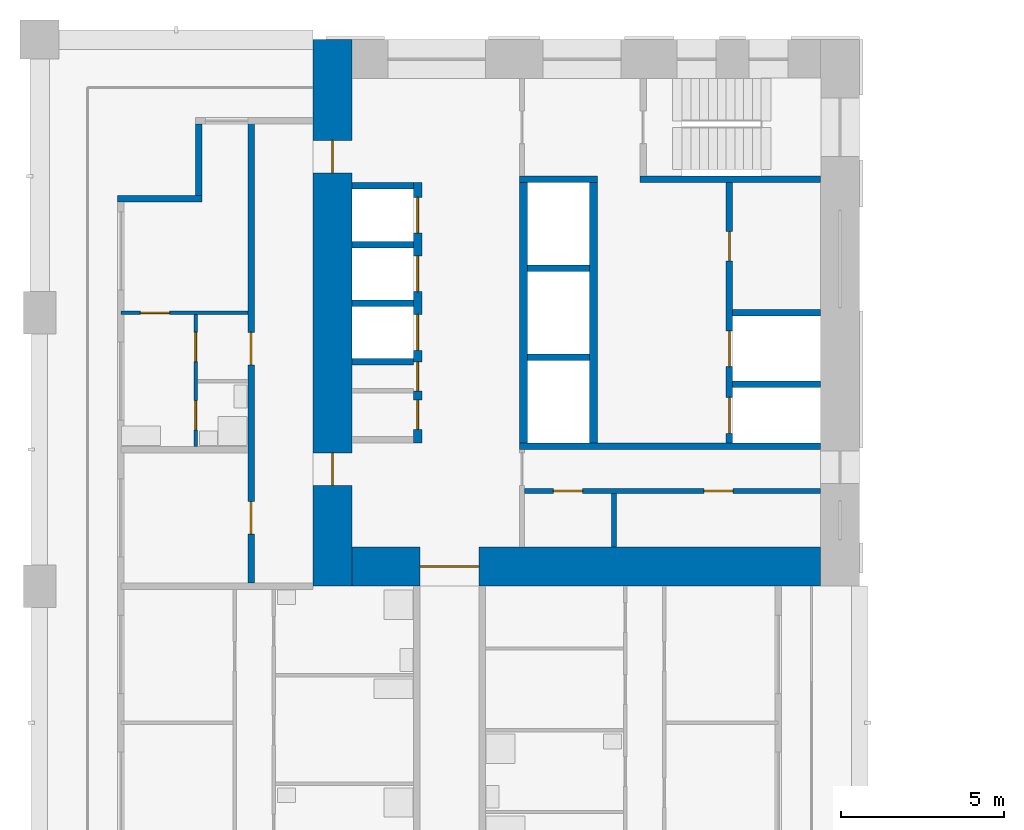
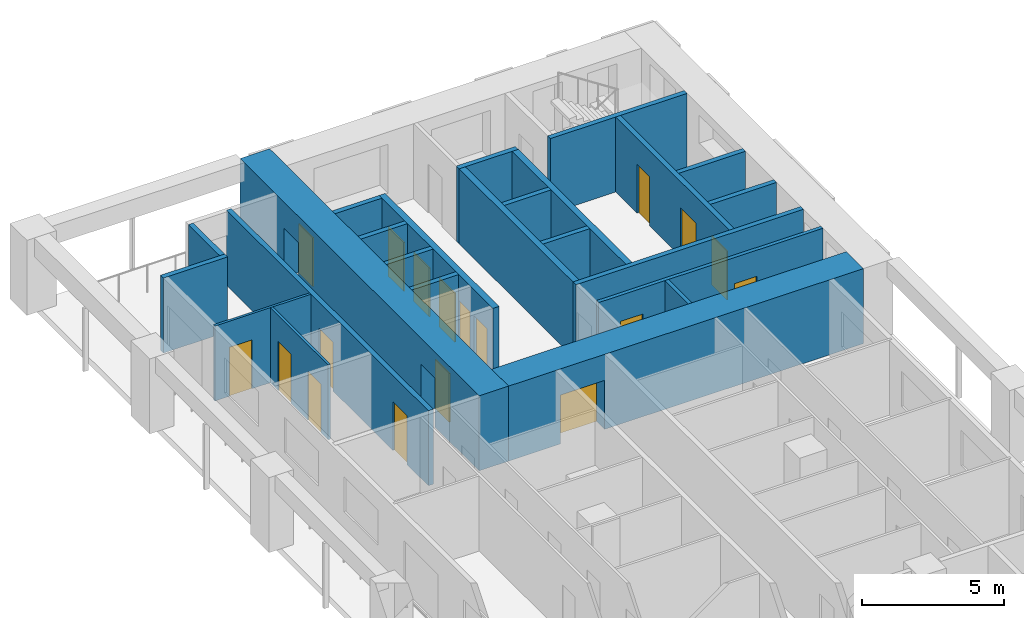
# One storey, part 7 of 16: 24 walls, 18 doors, 18 openings.
"""IFC4 building model written with IfcOpenShell, lengths in metres."""

from ifc_helpers import new_model, si_unit, direction, frame, frame_2d, origin, place, context, subcontext, project, spatial, rectangle, extrude, material, layer, layer_set, type_object, element, fill, save


model = new_model("IFC4")

# Units and contexts
model_context = context("Model", 3, precision=1e-05, world=origin(), true_north=direction((0.0, 1.0)))
body_context = subcontext(model_context, "Body", "Model", "MODEL_VIEW")
ifc_project = project(units=[si_unit("LENGTHUNIT", "METRE"), si_unit("AREAUNIT", "SQUARE_METRE"), si_unit("VOLUMEUNIT", "CUBIC_METRE"), si_unit("PLANEANGLEUNIT", "RADIAN"), si_unit("MASSUNIT", "GRAM", prefix="KILO")], contexts=[model_context])

# Site, building, storey
site_placement = place(None, origin())
site = spatial("IfcSite", under=ifc_project, at=site_placement, CompositionType="ELEMENT")
building_placement = place(site_placement, origin())
building = spatial("IfcBuilding", under=site, at=building_placement, Name="Vermilion Gate Residences", CompositionType="ELEMENT")
storey_placement = place(building_placement, frame((0.0, 0.0, 130.199951171875)))
storey = spatial("IfcBuildingStorey", under=building, at=storey_placement, Name="L33", CompositionType="ELEMENT", Elevation=130.199951171875)

# Wall
ifc_material_1 = material(Name="Masonry blockwork", Category="masonry")
ifc_layer_1 = layer(ifc_material_1, 0.14990234375)
ifc_layer_set_1 = layer_set([ifc_layer_1], Name="BLOCKWORK PARTITION 150 EI 120")
wall_type_1 = type_object("IfcWallType", Name="BLOCKWORK PARTITION 150 EI 120", PredefinedType="PARTITIONING", material=ifc_layer_set_1)
wall_1_placement = place(storey_placement, frame((17.659912109375, 44.85009765625, 0.0), z_axis=(0.0, 0.0, 1.0), x_axis=(0.0, -1.0, 0.0)))
element("IfcWall", 1, at=wall_1_placement, inside=storey, type_object=wall_type_1, Name="Core room partition B33-ES-P0", PredefinedType="PARTITIONING", context=body_context, shape_type="SweptSolid", body=[
    extrude(rectangle(XDim=1.650146484375, YDim=0.14990234375, at=frame_2d((0.8251953125, 0.0))), origin(), (0.0, 0.0, 1.0), 3.219970703125),
])

# Wall, openings, doors
wall_2_placement = place(storey_placement, frame((14.89990234375, 44.925048828125, 0.0), z_axis=(0.0, 0.0, 1.0), x_axis=(1.0, 0.0, 0.0)))
wall_2 = element("IfcWall", 2, at=wall_2_placement, inside=storey, type_object=wall_type_1, Name="Core room partition B33-ES-W", PredefinedType="PARTITIONING", context=body_context, shape_type="SweptSolid", body=[
    extrude(rectangle(XDim=9.10009765625, YDim=0.14990234375, at=frame_2d((4.550048828125, 0.0))), origin(), (0.0, 0.0, 1.0), 3.219970703125),
])
opening_1_placement = place(wall_2_placement, frame((0.892578125, 0.0, 0.0)))
opening_1 = element("IfcOpeningElement", 3, at=opening_1_placement, cuts=wall_2, Name="Opening DK33115", PredefinedType="OPENING", context=body_context, shape_type="SweptSolid", body=[
    extrude(rectangle(XDim=0.89990234375, YDim=2.10009765625, at=frame_2d((0.449951171875, 1.050048828125))), frame((0.0, 0.0849609375, 0.0), z_axis=(0.0, -1.0, 0.0), x_axis=(1.0, 0.0, 0.0)), (0.0, 0.0, 1.0), 0.169921875),
])
opening_2_placement = place(wall_2_placement, frame((5.517578125, 0.0, 0.0)))
opening_2 = element("IfcOpeningElement", 4, at=opening_2_placement, cuts=wall_2, Name="Opening DK33116", PredefinedType="OPENING", context=body_context, shape_type="SweptSolid", body=[
    extrude(rectangle(XDim=0.89990234375, YDim=2.10009765625, at=frame_2d((0.449951171875, 1.050048828125))), frame((0.0, 0.0849609375, 0.0), z_axis=(0.0, -1.0, 0.0), x_axis=(1.0, 0.0, 0.0)), (0.0, 0.0, 1.0), 0.169921875),
])
ifc_material_2 = material(Name="Steel", Category="steel")
door_type_1 = type_object("IfcDoorType", Name="SERVICE ROOM DOOR FD60 900 X 2100", OperationType="SINGLE_SWING_LEFT", PredefinedType="DOOR", material=ifc_material_2)
door_1_placement = place(opening_1_placement, frame((0.89990234375, 0.0, 0.0), z_axis=(0.0, 0.0, 1.0), x_axis=(-1.0, 0.0, 0.0)))
door_1 = element("IfcDoor", 5, at=door_1_placement, inside=storey, type_object=door_type_1, Name="Electrical room B33", OperationType="SINGLE_SWING_RIGHT", OverallHeight=2.10009765625, OverallWidth=0.89990234375, PredefinedType="DOOR", context=body_context, shape_type="SweptSolid", body=[
    extrude(rectangle(XDim=0.89990234375, YDim=2.10009765625, at=frame_2d((0.449951171875, 1.050048828125))), frame((0.0, 0.02490234375, 0.0), z_axis=(0.0, -1.0, 0.0), x_axis=(1.0, 0.0, 0.0)), (0.0, 0.0, 1.0), 0.050048828125),
])
fill(opening_1, door_1)
door_2_placement = place(opening_2_placement, frame((0.89990234375, 0.0, 0.0), z_axis=(0.0, 0.0, 1.0), x_axis=(-1.0, 0.0, 0.0)))
door_2 = element("IfcDoor", 6, at=door_2_placement, inside=storey, type_object=door_type_1, Name="Storage room B33", OperationType="SINGLE_SWING_LEFT", OverallHeight=2.10009765625, OverallWidth=0.89990234375, PredefinedType="DOOR", context=body_context, shape_type="SweptSolid", body=[
    extrude(rectangle(XDim=0.89990234375, YDim=2.10009765625, at=frame_2d((0.449951171875, 1.050048828125))), frame((0.0, 0.02490234375, 0.0), z_axis=(0.0, -1.0, 0.0), x_axis=(1.0, 0.0, 0.0)), (0.0, 0.0, 1.0), 0.050048828125),
])
fill(opening_2, door_2)

# Walls
ifc_material_3 = material(Name="Insulated steel stud wall with terracotta rainscreen", Category="masonry")
ifc_layer_2 = layer(ifc_material_3, 0.199951171875)
ifc_layer_set_2 = layer_set([ifc_layer_2], Name="EXTERNAL WALL 200 TERRACOTTA RAINSCREEN")
wall_type_2 = type_object("IfcWallType", Name="EXTERNAL WALL 200 TERRACOTTA RAINSCREEN", PredefinedType="SOLIDWALL", material=ifc_layer_set_2)
wall_3_placement = place(storey_placement, frame((4.89990234375, 56.199951171875, 0.0), z_axis=(0.0, 0.0, 1.0), x_axis=(0.0, -1.0, 0.0)))
element("IfcWall", 7, at=wall_3_placement, inside=storey, type_object=wall_type_2, Name="External wall", PredefinedType="SOLIDWALL", context=body_context, shape_type="SweptSolid", body=[
    extrude(rectangle(XDim=2.199951171875, YDim=0.199951171875, at=frame_2d((1.10009765625, 0.0))), origin(), (0.0, 0.0, 1.0), 3.219970703125),
])
wall_4_placement = place(storey_placement, frame((5.0, 53.89990234375, 0.0), z_axis=(0.0, 0.0, 1.0), x_axis=(-1.0, 0.0, 0.0)))
element("IfcWall", 8, at=wall_4_placement, inside=storey, type_object=wall_type_2, Name="External wall", PredefinedType="SOLIDWALL", context=body_context, shape_type="SweptSolid", body=[
    extrude(rectangle(XDim=2.60009765625, YDim=0.199951171875, at=frame_2d((1.300048828125, 0.0))), origin(), (0.0, 0.0, 1.0), 3.219970703125),
])

# Wall, opening, door
ifc_material_4 = material(Name="Plasterboard on steel studs", Category="steel")
ifc_layer_3 = layer(ifc_material_4, 0.10009765625)
ifc_layer_set_3 = layer_set([ifc_layer_3], Name="PARTITION 100")
wall_type_3 = type_object("IfcWallType", Name="PARTITION 100", PredefinedType="PARTITIONING", material=ifc_layer_set_3)
wall_5_placement = place(storey_placement, frame((2.5, 50.39990234375, 0.0), z_axis=(0.0, 0.0, 1.0), x_axis=(1.0, 0.0, 0.0)))
wall_5 = element("IfcWall", 9, at=wall_5_placement, inside=storey, type_object=wall_type_3, Name="Partition", PredefinedType="PARTITIONING", context=body_context, shape_type="SweptSolid", body=[
    extrude(rectangle(XDim=3.89990234375, YDim=0.10009765625, at=frame_2d((1.949951171875, 0.0))), origin(), (0.0, 0.0, 1.0), 3.219970703125),
])
opening_3_placement = place(wall_5_placement, frame((0.60009765625, 0.0, 0.0)))
opening_3 = element("IfcOpeningElement", 10, at=opening_3_placement, cuts=wall_5, Name="Opening DA32017", PredefinedType="OPENING", context=body_context, shape_type="SweptSolid", body=[
    extrude(rectangle(XDim=0.89990234375, YDim=2.10009765625, at=frame_2d((0.449951171875, 1.050048828125))), frame((0.0, 0.06005859375, 0.0), z_axis=(0.0, -1.0, 0.0), x_axis=(1.0, 0.0, 0.0)), (0.0, 0.0, 1.0), 0.1201171875),
])
ifc_material_5 = material(Name="Timber", Category="wood")
door_type_2 = type_object("IfcDoorType", Name="INTERIOR DOOR 900 X 2100", OperationType="SINGLE_SWING_LEFT", PredefinedType="DOOR", material=ifc_material_5)
door_3_placement = place(opening_3_placement, frame((0.89990234375, 0.0, 0.0), z_axis=(0.0, 0.0, 1.0), x_axis=(-1.0, 0.0, 0.0)))
door_3 = element("IfcDoor", 11, at=door_3_placement, inside=storey, type_object=door_type_2, Name="Interior door", OperationType="SINGLE_SWING_RIGHT", OverallHeight=2.10009765625, OverallWidth=0.89990234375, PredefinedType="DOOR", context=body_context, shape_type="SweptSolid", body=[
    extrude(rectangle(XDim=0.89990234375, YDim=2.10009765625, at=frame_2d((0.449951171875, 1.050048828125))), frame((0.0, 0.02490234375, 0.0), z_axis=(0.0, -1.0, 0.0), x_axis=(1.0, 0.0, 0.0)), (0.0, 0.0, 1.0), 0.050048828125),
])
fill(opening_3, door_3)

# Wall, openings, doors
wall_6_placement = place(storey_placement, frame((4.800048828125, 46.300048828125, 0.0), z_axis=(0.0, 0.0, 1.0), x_axis=(0.0, 1.0, 0.0)))
wall_6 = element("IfcWall", 12, at=wall_6_placement, inside=storey, type_object=wall_type_3, Name="Partition", PredefinedType="PARTITIONING", context=body_context, shape_type="SweptSolid", body=[
    extrude(rectangle(XDim=4.050048828125, YDim=0.10009765625, at=frame_2d((2.02490234375, 0.0))), origin(), (0.0, 0.0, 1.0), 3.219970703125),
])
opening_4_placement = place(wall_6_placement, frame((2.60009765625, 0.0, 0.0)))
opening_4 = element("IfcOpeningElement", 13, at=opening_4_placement, cuts=wall_6, Name="Opening DA32018", PredefinedType="OPENING", context=body_context, shape_type="SweptSolid", body=[
    extrude(rectangle(XDim=0.89990234375, YDim=2.10009765625, at=frame_2d((0.449951171875, 1.050048828125))), frame((0.0, 0.06005859375, 0.0), z_axis=(0.0, -1.0, 0.0), x_axis=(1.0, 0.0, 0.0)), (0.0, 0.0, 1.0), 0.1201171875),
])
opening_5_placement = place(wall_6_placement, frame((0.5, 0.0, 0.0)))
opening_5 = element("IfcOpeningElement", 14, at=opening_5_placement, cuts=wall_6, Name="Opening DA32019", PredefinedType="OPENING", context=body_context, shape_type="SweptSolid", body=[
    extrude(rectangle(XDim=0.89990234375, YDim=2.10009765625, at=frame_2d((0.449951171875, 1.050048828125))), frame((0.0, 0.06005859375, 0.0), z_axis=(0.0, -1.0, 0.0), x_axis=(1.0, 0.0, 0.0)), (0.0, 0.0, 1.0), 0.1201171875),
])
door_4_placement = place(opening_4_placement, origin())
door_4 = element("IfcDoor", 15, at=door_4_placement, inside=storey, type_object=door_type_2, Name="Interior door", OperationType="SINGLE_SWING_RIGHT", OverallHeight=2.10009765625, OverallWidth=0.89990234375, PredefinedType="DOOR", context=body_context, shape_type="SweptSolid", body=[
    extrude(rectangle(XDim=0.89990234375, YDim=2.10009765625, at=frame_2d((0.449951171875, 1.050048828125))), frame((0.0, 0.02490234375, 0.0), z_axis=(0.0, -1.0, 0.0), x_axis=(1.0, 0.0, 0.0)), (0.0, 0.0, 1.0), 0.050048828125),
])
fill(opening_4, door_4)
door_5_placement = place(opening_5_placement, frame((0.89990234375, 0.0, 0.0), z_axis=(0.0, 0.0, 1.0), x_axis=(-1.0, 0.0, 0.0)))
door_5 = element("IfcDoor", 16, at=door_5_placement, inside=storey, type_object=door_type_2, Name="Interior door", OperationType="SINGLE_SWING_RIGHT", OverallHeight=2.10009765625, OverallWidth=0.89990234375, PredefinedType="DOOR", context=body_context, shape_type="SweptSolid", body=[
    extrude(rectangle(XDim=0.89990234375, YDim=2.10009765625, at=frame_2d((0.449951171875, 1.050048828125))), frame((0.0, 0.02490234375, 0.0), z_axis=(0.0, -1.0, 0.0), x_axis=(1.0, 0.0, 0.0)), (0.0, 0.0, 1.0), 0.050048828125),
])
fill(opening_5, door_5)

ifc_material_6 = material(Name="Fire-rated plasterboard on steel studs", Category="steel")
ifc_layer_4 = layer(ifc_material_6, 0.199951171875)
ifc_layer_set_4 = layer_set([ifc_layer_4], Name="PARTY WALL 200 EI 120")
wall_type_4 = type_object("IfcWallType", Name="PARTY WALL 200 EI 120", PredefinedType="PARTITIONING", material=ifc_layer_set_4)
wall_7_placement = place(storey_placement, frame((6.5, 42.10009765625, 0.0), z_axis=(0.0, 0.0, 1.0), x_axis=(0.0, 1.0, 0.0)))
wall_7 = element("IfcWall", 17, at=wall_7_placement, inside=storey, type_object=wall_type_4, Name="Party and corridor wall", PredefinedType="PARTITIONING", context=body_context, shape_type="SweptSolid", body=[
    extrude(rectangle(XDim=14.199951171875, YDim=0.199951171875, at=frame_2d((7.10009765625, 0.0))), origin(), (0.0, 0.0, 1.0), 3.219970703125),
])
opening_6_placement = place(wall_7_placement, frame((1.5, 0.0, 0.0)))
opening_6 = element("IfcOpeningElement", 18, at=opening_6_placement, cuts=wall_7, Name="Opening DA32024", PredefinedType="OPENING", context=body_context, shape_type="SweptSolid", body=[
    extrude(rectangle(XDim=1.0, YDim=2.10009765625, at=frame_2d((0.5, 1.050048828125))), frame((0.0, 0.10986328125, 0.0), z_axis=(0.0, -1.0, 0.0), x_axis=(1.0, 0.0, 0.0)), (0.0, 0.0, 1.0), 0.219970703125),
])
opening_7_placement = place(wall_7_placement, frame((6.699951171875, 0.0, 0.0)))
opening_7 = element("IfcOpeningElement", 19, at=opening_7_placement, cuts=wall_7, Name="Opening DA32025", PredefinedType="OPENING", context=body_context, shape_type="SweptSolid", body=[
    extrude(rectangle(XDim=1.0, YDim=2.10009765625, at=frame_2d((0.5, 1.050048828125))), frame((0.0, 0.10986328125, 0.0), z_axis=(0.0, -1.0, 0.0), x_axis=(1.0, 0.0, 0.0)), (0.0, 0.0, 1.0), 0.219970703125),
])
ifc_material_7 = material(Name="Steel", Category="steel")
door_type_3 = type_object("IfcDoorType", Name="ENTRANCE DOOR 1000 X 2100 FD30", OperationType="SINGLE_SWING_LEFT", PredefinedType="DOOR", material=ifc_material_7)
door_6_placement = place(opening_6_placement, origin())
door_6 = element("IfcDoor", 20, at=door_6_placement, inside=storey, type_object=door_type_3, Name="Entrance door", OperationType="SINGLE_SWING_LEFT", OverallHeight=2.10009765625, OverallWidth=1.0, PredefinedType="DOOR", context=body_context, shape_type="SweptSolid", body=[
    extrude(rectangle(XDim=1.0, YDim=2.10009765625, at=frame_2d((0.5, 1.050048828125))), frame((0.0, 0.02490234375, 0.0), z_axis=(0.0, -1.0, 0.0), x_axis=(1.0, 0.0, 0.0)), (0.0, 0.0, 1.0), 0.050048828125),
])
fill(opening_6, door_6)
door_7_placement = place(opening_7_placement, origin())
door_7 = element("IfcDoor", 21, at=door_7_placement, inside=storey, type_object=door_type_3, Name="Entrance door", OperationType="SINGLE_SWING_LEFT", OverallHeight=2.10009765625, OverallWidth=1.0, PredefinedType="DOOR", context=body_context, shape_type="SweptSolid", body=[
    extrude(rectangle(XDim=1.0, YDim=2.10009765625, at=frame_2d((0.5, 1.050048828125))), frame((0.0, 0.02490234375, 0.0), z_axis=(0.0, -1.0, 0.0), x_axis=(1.0, 0.0, 0.0)), (0.0, 0.0, 1.0), 0.050048828125),
])
fill(opening_7, door_7)

# Walls
ifc_material_8 = material(Name="Concrete C60", Category="concrete")
ifc_layer_5 = layer(ifc_material_8, 0.199951171875)
ifc_layer_set_5 = layer_set([ifc_layer_5], Name="RC CORE INTERNAL WALL 200 C60")
wall_type_5 = type_object("IfcWallType", Name="RC CORE INTERNAL WALL 200 C60", PredefinedType="SHEAR", material=ifc_layer_set_5)
for number, where, z_axis, x_axis, name in (
    (22, (9.60009765625, 54.300048828125, 0.0), (0.0, 0.0, 1.0), (1.0, 0.0, 0.0), "Core internal wall B33-LR-D0"),
    (23, (9.60009765625, 52.5, 0.0), (0.0, 0.0, 1.0), (1.0, 0.0, 0.0), "Core internal wall B33-LR-D1"),
    (24, (9.60009765625, 50.699951171875, 0.0), (0.0, 0.0, 1.0), (1.0, 0.0, 0.0), "Core internal wall B33-LR-D2"),
    (25, (9.60009765625, 48.89990234375, 0.0), (0.0, 0.0, 1.0), (1.0, 0.0, 0.0), "Core internal wall B33-LR-D3"),
    (26, (15.0, 51.7666015625, 0.0), (0.0, 0.0, 1.0), (1.0, 0.0, 0.0), "Core internal wall B33-HR-D1"),
    (27, (15.0, 49.033447265625, 0.0), (0.0, 0.0, 1.0), (1.0, 0.0, 0.0), "Core internal wall B33-HR-D2"),
):
    element("IfcWall", number, at=place(storey_placement, frame(where, z_axis=z_axis, x_axis=x_axis)), inside=storey, type_object=wall_type_5, Name=name, PredefinedType="SHEAR", context=body_context, shape_type="SweptSolid", body=[
        extrude(rectangle(XDim=1.89990234375, YDim=0.199951171875, at=frame_2d((0.949951171875, 0.0))), origin(), (0.0, 0.0, 1.0), 3.219970703125),
    ])
for number, where, z_axis, x_axis, name in (
    (28, (21.300048828125, 50.39990234375, 0.0), (0.0, 0.0, 1.0), (1.0, 0.0, 0.0), "Core internal wall B33-FF-D0"),
    (29, (21.300048828125, 48.199951171875, 0.0), (0.0, 0.0, 1.0), (1.0, 0.0, 0.0), "Core internal wall B33-FF-D1"),
):
    element("IfcWall", number, at=place(storey_placement, frame(where, z_axis=z_axis, x_axis=x_axis)), inside=storey, type_object=wall_type_5, Name=name, PredefinedType="SHEAR", context=body_context, shape_type="SweptSolid", body=[
        extrude(rectangle(XDim=2.699951171875, YDim=0.199951171875, at=frame_2d((1.35009765625, 0.0))), origin(), (0.0, 0.0, 1.0), 3.219970703125),
    ])

# Wall, openings, doors
wall_8_placement = place(storey_placement, frame((21.199951171875, 54.39990234375, 0.0), z_axis=(0.0, 0.0, 1.0), x_axis=(0.0, -1.0, 0.0)))
wall_8 = element("IfcWall", 30, at=wall_8_placement, inside=storey, type_object=wall_type_5, Name="Core internal wall B33-FF-F", PredefinedType="SHEAR", context=body_context, shape_type="SweptSolid", body=[
    extrude(rectangle(XDim=8.0, YDim=0.199951171875, at=frame_2d((4.0, 0.0))), origin(), (0.0, 0.0, 1.0), 3.219970703125),
])
opening_8_placement = place(wall_8_placement, frame((1.5, 0.0, 0.0)))
opening_8 = element("IfcOpeningElement", 31, at=opening_8_placement, cuts=wall_8, Name="Opening DK33109", PredefinedType="OPENING", context=body_context, shape_type="SweptSolid", body=[
    extrude(rectangle(XDim=0.89990234375, YDim=2.10009765625, at=frame_2d((0.449951171875, 1.050048828125))), frame((0.0, 0.10986328125, 0.0), z_axis=(0.0, -1.0, 0.0), x_axis=(1.0, 0.0, 0.0)), (0.0, 0.0, 1.0), 0.219970703125),
])
opening_9_placement = place(wall_8_placement, frame((4.550048828125, 0.0, 0.0)))
opening_9 = element("IfcOpeningElement", 32, at=opening_9_placement, cuts=wall_8, Name="Opening LD", PredefinedType="OPENING", context=body_context, shape_type="SweptSolid", body=[
    extrude(rectangle(XDim=1.10009765625, YDim=2.10009765625, at=frame_2d((0.550048828125, 1.050048828125))), frame((0.0, 0.10986328125, 0.0), z_axis=(0.0, -1.0, 0.0), x_axis=(1.0, 0.0, 0.0)), (0.0, 0.0, 1.0), 0.219970703125),
])
opening_10_placement = place(wall_8_placement, frame((6.60009765625, 0.0, 0.0)))
opening_10 = element("IfcOpeningElement", 33, at=opening_10_placement, cuts=wall_8, Name="Opening LD", PredefinedType="OPENING", context=body_context, shape_type="SweptSolid", body=[
    extrude(rectangle(XDim=1.10009765625, YDim=2.10009765625, at=frame_2d((0.550048828125, 1.050048828125))), frame((0.0, 0.10986328125, 0.0), z_axis=(0.0, -1.0, 0.0), x_axis=(1.0, 0.0, 0.0)), (0.0, 0.0, 1.0), 0.219970703125),
])
ifc_material_9 = material(Name="Stainless steel", Category="steel")
door_type_4 = type_object("IfcDoorType", Name="LIFT LANDING DOOR E60 1100 X 2100", OperationType="DOUBLE_DOOR_SLIDING", PredefinedType="DOOR", material=ifc_material_9)
door_8_placement = place(opening_9_placement, origin())
door_8 = element("IfcDoor", 34, at=door_8_placement, inside=storey, type_object=door_type_4, Name="Lift landing door LFB1", OperationType="DOUBLE_DOOR_SLIDING", OverallHeight=2.10009765625, OverallWidth=1.10009765625, PredefinedType="DOOR", context=body_context, shape_type="SweptSolid", body=[
    extrude(rectangle(XDim=1.10009765625, YDim=2.10009765625, at=frame_2d((0.550048828125, 1.050048828125))), frame((0.0, 0.02490234375, 0.0), z_axis=(0.0, -1.0, 0.0), x_axis=(1.0, 0.0, 0.0)), (0.0, 0.0, 1.0), 0.050048828125),
])
fill(opening_9, door_8)
door_9_placement = place(opening_10_placement, origin())
door_9 = element("IfcDoor", 35, at=door_9_placement, inside=storey, type_object=door_type_4, Name="Lift landing door LCB1", OperationType="DOUBLE_DOOR_SLIDING", OverallHeight=2.10009765625, OverallWidth=1.10009765625, PredefinedType="DOOR", context=body_context, shape_type="SweptSolid", body=[
    extrude(rectangle(XDim=1.10009765625, YDim=2.10009765625, at=frame_2d((0.550048828125, 1.050048828125))), frame((0.0, 0.02490234375, 0.0), z_axis=(0.0, -1.0, 0.0), x_axis=(1.0, 0.0, 0.0)), (0.0, 0.0, 1.0), 0.050048828125),
])
fill(opening_10, door_9)
door_10_placement = place(opening_8_placement, origin())
door_10 = element("IfcDoor", 36, at=door_10_placement, inside=storey, type_object=door_type_1, Name="Parcel room B33", OperationType="SINGLE_SWING_LEFT", OverallHeight=2.10009765625, OverallWidth=0.89990234375, PredefinedType="DOOR", context=body_context, shape_type="SweptSolid", body=[
    extrude(rectangle(XDim=0.89990234375, YDim=2.10009765625, at=frame_2d((0.449951171875, 1.050048828125))), frame((0.0, 0.02490234375, 0.0), z_axis=(0.0, -1.0, 0.0), x_axis=(1.0, 0.0, 0.0)), (0.0, 0.0, 1.0), 0.050048828125),
])
fill(opening_8, door_10)

# Walls
wall_9_placement = place(storey_placement, frame((14.75, 54.5, 0.0), z_axis=(0.0, 0.0, 1.0), x_axis=(1.0, 0.0, 0.0)))
element("IfcWall", 37, at=wall_9_placement, inside=storey, type_object=wall_type_5, Name="Core internal wall B33-WDIV1", PredefinedType="SHEAR", context=body_context, shape_type="SweptSolid", body=[
    extrude(rectangle(XDim=2.39990234375, YDim=0.199951171875, at=frame_2d((1.199951171875, 0.0))), origin(), (0.0, 0.0, 1.0), 3.219970703125),
])
wall_10_placement = place(storey_placement, frame((18.449951171875, 54.5, 0.0), z_axis=(0.0, 0.0, 1.0), x_axis=(1.0, 0.0, 0.0)))
element("IfcWall", 38, at=wall_10_placement, inside=storey, type_object=wall_type_5, Name="Core internal wall B33-WDIV2", PredefinedType="SHEAR", context=body_context, shape_type="SweptSolid", body=[
    extrude(rectangle(XDim=5.550048828125, YDim=0.199951171875, at=frame_2d((2.77490234375, 0.0))), origin(), (0.0, 0.0, 1.0), 3.219970703125),
])
wall_11_placement = place(storey_placement, frame((14.75, 46.300048828125, 0.0), z_axis=(0.0, 0.0, 1.0), x_axis=(1.0, 0.0, 0.0)))
element("IfcWall", 39, at=wall_11_placement, inside=storey, type_object=wall_type_5, Name="Core internal wall B33-EDIV", PredefinedType="SHEAR", context=body_context, shape_type="SweptSolid", body=[
    extrude(rectangle(XDim=9.25, YDim=0.199951171875, at=frame_2d((4.625, 0.0))), origin(), (0.0, 0.0, 1.0), 3.219970703125),
])

# Wall, openings, doors
ifc_material_10 = material(Name="Concrete C70", Category="concrete")
ifc_layer_6 = layer(ifc_material_10, 1.199951171875)
ifc_layer_set_6 = layer_set([ifc_layer_6], Name="RC CORE WALL 1200 C70")
wall_type_6 = type_object("IfcWallType", Name="RC CORE WALL 1200 C70", PredefinedType="SHEAR", material=ifc_layer_set_6)
wall_12_placement = place(storey_placement, frame((9.0, 58.800048828125, 0.0), z_axis=(0.0, 0.0, 1.0), x_axis=(0.0, -1.0, 0.0)))
wall_12 = element("IfcWall", 40, at=wall_12_placement, inside=storey, type_object=wall_type_6, Name="Core wall B33-OUT-B0", PredefinedType="SHEAR", context=body_context, shape_type="SweptSolid", body=[
    extrude(rectangle(XDim=16.800048828125, YDim=1.199951171875, at=frame_2d((8.39990234375, 0.0))), origin(), (0.0, 0.0, 1.0), 3.219970703125),
])
opening_11_placement = place(wall_12_placement, frame((3.10009765625, 0.0, 0.0)))
opening_11 = element("IfcOpeningElement", 41, at=opening_11_placement, cuts=wall_12, Name="Opening DK33101", PredefinedType="OPENING", context=body_context, shape_type="SweptSolid", body=[
    extrude(rectangle(XDim=1.0, YDim=2.10009765625, at=frame_2d((0.5, 1.050048828125))), frame((0.0, 0.60986328125, 0.0), z_axis=(0.0, -1.0, 0.0), x_axis=(1.0, 0.0, 0.0)), (0.0, 0.0, 1.0), 1.219970703125),
])
opening_12_placement = place(wall_12_placement, frame((12.699951171875, 0.0, 0.0)))
opening_12 = element("IfcOpeningElement", 42, at=opening_12_placement, cuts=wall_12, Name="Opening DK33102", PredefinedType="OPENING", context=body_context, shape_type="SweptSolid", body=[
    extrude(rectangle(XDim=1.0, YDim=2.10009765625, at=frame_2d((0.5, 1.050048828125))), frame((0.0, 0.60986328125, 0.0), z_axis=(0.0, -1.0, 0.0), x_axis=(1.0, 0.0, 0.0)), (0.0, 0.0, 1.0), 1.219970703125),
])
ifc_material_11 = material(Name="Steel", Category="steel")
door_type_5 = type_object("IfcDoorType", Name="FIRE DOOR FD60 1000 X 2100", OperationType="SINGLE_SWING_LEFT", PredefinedType="DOOR", material=ifc_material_11)
door_11_placement = place(opening_11_placement, origin())
door_11 = element("IfcDoor", 43, at=door_11_placement, inside=storey, type_object=door_type_5, Name="Core lobby side door B33", OperationType="SINGLE_SWING_RIGHT", OverallHeight=2.10009765625, OverallWidth=1.0, PredefinedType="DOOR", context=body_context, shape_type="SweptSolid", body=[
    extrude(rectangle(XDim=1.0, YDim=2.10009765625, at=frame_2d((0.5, 1.050048828125))), frame((0.0, 0.02490234375, 0.0), z_axis=(0.0, -1.0, 0.0), x_axis=(1.0, 0.0, 0.0)), (0.0, 0.0, 1.0), 0.050048828125),
])
fill(opening_11, door_11)
door_12_placement = place(opening_12_placement, origin())
door_12 = element("IfcDoor", 44, at=door_12_placement, inside=storey, type_object=door_type_5, Name="Core lobby side door B33", OperationType="SINGLE_SWING_LEFT", OverallHeight=2.10009765625, OverallWidth=1.0, PredefinedType="DOOR", context=body_context, shape_type="SweptSolid", body=[
    extrude(rectangle(XDim=1.0, YDim=2.10009765625, at=frame_2d((0.5, 1.050048828125))), frame((0.0, 0.02490234375, 0.0), z_axis=(0.0, -1.0, 0.0), x_axis=(1.0, 0.0, 0.0)), (0.0, 0.0, 1.0), 0.050048828125),
])
fill(opening_12, door_12)

# Wall, opening, door
wall_13_placement = place(storey_placement, frame((9.60009765625, 42.60009765625, 0.0), z_axis=(0.0, 0.0, 1.0), x_axis=(1.0, 0.0, 0.0)))
wall_13 = element("IfcWall", 45, at=wall_13_placement, inside=storey, type_object=wall_type_6, Name="Core wall B33-OUT-BK", PredefinedType="SHEAR", context=body_context, shape_type="SweptSolid", body=[
    extrude(rectangle(XDim=14.39990234375, YDim=1.199951171875, at=frame_2d((7.199951171875, 0.0))), origin(), (0.0, 0.0, 1.0), 3.219970703125),
])
opening_13_placement = place(wall_13_placement, frame((2.10009765625, 0.0, 0.0)))
opening_13 = element("IfcOpeningElement", 46, at=opening_13_placement, cuts=wall_13, Name="Opening DK33103", PredefinedType="OPENING", context=body_context, shape_type="SweptSolid", body=[
    extrude(rectangle(XDim=1.800048828125, YDim=2.10009765625, at=frame_2d((0.89990234375, 1.050048828125))), frame((0.0, 0.60986328125, 0.0), z_axis=(0.0, -1.0, 0.0), x_axis=(1.0, 0.0, 0.0)), (0.0, 0.0, 1.0), 1.219970703125),
])
ifc_material_12 = material(Name="Steel", Category="steel")
door_type_6 = type_object("IfcDoorType", Name="CORE LOBBY DOOR FD60 1800 X 2100", OperationType="DOUBLE_DOOR_SINGLE_SWING", PredefinedType="DOOR", material=ifc_material_12)
door_13_placement = place(opening_13_placement, origin())
door_13 = element("IfcDoor", 47, at=door_13_placement, inside=storey, type_object=door_type_6, Name="Core lobby door B33", OperationType="DOUBLE_DOOR_SINGLE_SWING", OverallHeight=2.10009765625, OverallWidth=1.800048828125, PredefinedType="DOOR", context=body_context, shape_type="SweptSolid", body=[
    extrude(rectangle(XDim=1.800048828125, YDim=2.10009765625, at=frame_2d((0.89990234375, 1.050048828125))), frame((0.0, 0.02490234375, 0.0), z_axis=(0.0, -1.0, 0.0), x_axis=(1.0, 0.0, 0.0)), (0.0, 0.0, 1.0), 0.050048828125),
])
fill(opening_13, door_13)

# Wall, openings, doors
ifc_material_13 = material(Name="Concrete C60", Category="concrete")
ifc_layer_7 = layer(ifc_material_13, 0.25)
ifc_layer_set_7 = layer_set([ifc_layer_7], Name="RC LIFT SHAFT WALL 250 C60")
wall_type_7 = type_object("IfcWallType", Name="RC LIFT SHAFT WALL 250 C60", PredefinedType="SHEAR", material=ifc_layer_set_7)
wall_14_placement = place(storey_placement, frame((11.625, 54.39990234375, 0.0), z_axis=(0.0, 0.0, 1.0), x_axis=(0.0, -1.0, 0.0)))
wall_14 = element("IfcWall", 48, at=wall_14_placement, inside=storey, type_object=wall_type_7, Name="Lift shaft wall B33-LR-F", PredefinedType="SHEAR", context=body_context, shape_type="SweptSolid", body=[
    extrude(rectangle(XDim=8.0, YDim=0.25, at=frame_2d((4.0, 0.0))), origin(), (0.0, 0.0, 1.0), 3.219970703125),
])
opening_14_placement = place(wall_14_placement, frame((0.449951171875, 0.0, 0.0)))
opening_14 = element("IfcOpeningElement", 49, at=opening_14_placement, cuts=wall_14, Name="Opening LD", PredefinedType="OPENING", context=body_context, shape_type="SweptSolid", body=[
    extrude(rectangle(XDim=1.10009765625, YDim=2.10009765625, at=frame_2d((0.550048828125, 1.050048828125))), frame((0.0, 0.135009765625, 0.0), z_axis=(0.0, -1.0, 0.0), x_axis=(1.0, 0.0, 0.0)), (0.0, 0.0, 1.0), 0.27001953125),
])
opening_15_placement = place(wall_14_placement, frame((2.25, 0.0, 0.0)))
opening_15 = element("IfcOpeningElement", 50, at=opening_15_placement, cuts=wall_14, Name="Opening LD", PredefinedType="OPENING", context=body_context, shape_type="SweptSolid", body=[
    extrude(rectangle(XDim=1.10009765625, YDim=2.10009765625, at=frame_2d((0.550048828125, 1.050048828125))), frame((0.0, 0.135009765625, 0.0), z_axis=(0.0, -1.0, 0.0), x_axis=(1.0, 0.0, 0.0)), (0.0, 0.0, 1.0), 0.27001953125),
])
opening_16_placement = place(wall_14_placement, frame((4.050048828125, 0.0, 0.0)))
opening_16 = element("IfcOpeningElement", 51, at=opening_16_placement, cuts=wall_14, Name="Opening LD", PredefinedType="OPENING", context=body_context, shape_type="SweptSolid", body=[
    extrude(rectangle(XDim=1.10009765625, YDim=2.10009765625, at=frame_2d((0.550048828125, 1.050048828125))), frame((0.0, 0.135009765625, 0.0), z_axis=(0.0, -1.0, 0.0), x_axis=(1.0, 0.0, 0.0)), (0.0, 0.0, 1.0), 0.27001953125),
])
opening_17_placement = place(wall_14_placement, frame((5.5087890625, 0.0, 0.0)))
opening_17 = element("IfcOpeningElement", 52, at=opening_17_placement, cuts=wall_14, Name="Opening DK33107", PredefinedType="OPENING", context=body_context, shape_type="SweptSolid", body=[
    extrude(rectangle(XDim=0.89990234375, YDim=2.10009765625, at=frame_2d((0.449951171875, 1.050048828125))), frame((0.0, 0.135009765625, 0.0), z_axis=(0.0, -1.0, 0.0), x_axis=(1.0, 0.0, 0.0)), (0.0, 0.0, 1.0), 0.27001953125),
])
opening_18_placement = place(wall_14_placement, frame((6.683837890625, 0.0, 0.0)))
opening_18 = element("IfcOpeningElement", 53, at=opening_18_placement, cuts=wall_14, Name="Opening DK33108", PredefinedType="OPENING", context=body_context, shape_type="SweptSolid", body=[
    extrude(rectangle(XDim=0.89990234375, YDim=2.10009765625, at=frame_2d((0.449951171875, 1.050048828125))), frame((0.0, 0.135009765625, 0.0), z_axis=(0.0, -1.0, 0.0), x_axis=(1.0, 0.0, 0.0)), (0.0, 0.0, 1.0), 0.27001953125),
])
door_14_placement = place(opening_14_placement, origin())
door_14 = element("IfcDoor", 54, at=door_14_placement, inside=storey, type_object=door_type_4, Name="Lift landing door LRB1", OperationType="DOUBLE_DOOR_SLIDING", OverallHeight=2.10009765625, OverallWidth=1.10009765625, PredefinedType="DOOR", context=body_context, shape_type="SweptSolid", body=[
    extrude(rectangle(XDim=1.10009765625, YDim=2.10009765625, at=frame_2d((0.550048828125, 1.050048828125))), frame((0.0, 0.02490234375, 0.0), z_axis=(0.0, -1.0, 0.0), x_axis=(1.0, 0.0, 0.0)), (0.0, 0.0, 1.0), 0.050048828125),
])
fill(opening_14, door_14)
door_15_placement = place(opening_15_placement, origin())
door_15 = element("IfcDoor", 55, at=door_15_placement, inside=storey, type_object=door_type_4, Name="Lift landing door LRB2", OperationType="DOUBLE_DOOR_SLIDING", OverallHeight=2.10009765625, OverallWidth=1.10009765625, PredefinedType="DOOR", context=body_context, shape_type="SweptSolid", body=[
    extrude(rectangle(XDim=1.10009765625, YDim=2.10009765625, at=frame_2d((0.550048828125, 1.050048828125))), frame((0.0, 0.02490234375, 0.0), z_axis=(0.0, -1.0, 0.0), x_axis=(1.0, 0.0, 0.0)), (0.0, 0.0, 1.0), 0.050048828125),
])
fill(opening_15, door_15)
door_16_placement = place(opening_16_placement, origin())
door_16 = element("IfcDoor", 56, at=door_16_placement, inside=storey, type_object=door_type_4, Name="Lift landing door LRB3", OperationType="DOUBLE_DOOR_SLIDING", OverallHeight=2.10009765625, OverallWidth=1.10009765625, PredefinedType="DOOR", context=body_context, shape_type="SweptSolid", body=[
    extrude(rectangle(XDim=1.10009765625, YDim=2.10009765625, at=frame_2d((0.550048828125, 1.050048828125))), frame((0.0, 0.02490234375, 0.0), z_axis=(0.0, -1.0, 0.0), x_axis=(1.0, 0.0, 0.0)), (0.0, 0.0, 1.0), 0.050048828125),
])
fill(opening_16, door_16)
door_17_placement = place(opening_17_placement, origin())
door_17 = element("IfcDoor", 57, at=door_17_placement, inside=storey, type_object=door_type_1, Name="Fire equipment store B33", OperationType="SINGLE_SWING_LEFT", OverallHeight=2.10009765625, OverallWidth=0.89990234375, PredefinedType="DOOR", context=body_context, shape_type="SweptSolid", body=[
    extrude(rectangle(XDim=0.89990234375, YDim=2.10009765625, at=frame_2d((0.449951171875, 1.050048828125))), frame((0.0, 0.02490234375, 0.0), z_axis=(0.0, -1.0, 0.0), x_axis=(1.0, 0.0, 0.0)), (0.0, 0.0, 1.0), 0.050048828125),
])
fill(opening_17, door_17)
door_18_placement = place(opening_18_placement, frame((0.89990234375, 0.0, 0.0), z_axis=(0.0, 0.0, 1.0), x_axis=(-1.0, 0.0, 0.0)))
door_18 = element("IfcDoor", 58, at=door_18_placement, inside=storey, type_object=door_type_1, Name="Mail room B33", OperationType="SINGLE_SWING_RIGHT", OverallHeight=2.10009765625, OverallWidth=0.89990234375, PredefinedType="DOOR", context=body_context, shape_type="SweptSolid", body=[
    extrude(rectangle(XDim=0.89990234375, YDim=2.10009765625, at=frame_2d((0.449951171875, 1.050048828125))), frame((0.0, 0.02490234375, 0.0), z_axis=(0.0, -1.0, 0.0), x_axis=(1.0, 0.0, 0.0)), (0.0, 0.0, 1.0), 0.050048828125),
])
fill(opening_18, door_18)

# Walls
for number, where, z_axis, x_axis, name in (
    (59, (14.875, 54.39990234375, 0.0), (0.0, 0.0, 1.0), (0.0, -1.0, 0.0), "Lift shaft wall B33-HR-F"),
    (60, (17.02490234375, 54.39990234375, 0.0), (0.0, 0.0, 1.0), (0.0, -1.0, 0.0), "Lift shaft wall B33-HR-B"),
):
    element("IfcWall", number, at=place(storey_placement, frame(where, z_axis=z_axis, x_axis=x_axis)), inside=storey, type_object=wall_type_7, Name=name, PredefinedType="SHEAR", context=body_context, shape_type="SweptSolid", body=[
        extrude(rectangle(XDim=8.0, YDim=0.25, at=frame_2d((4.0, 0.0))), origin(), (0.0, 0.0, 1.0), 3.219970703125),
    ])

save(model, "model.ifc")
